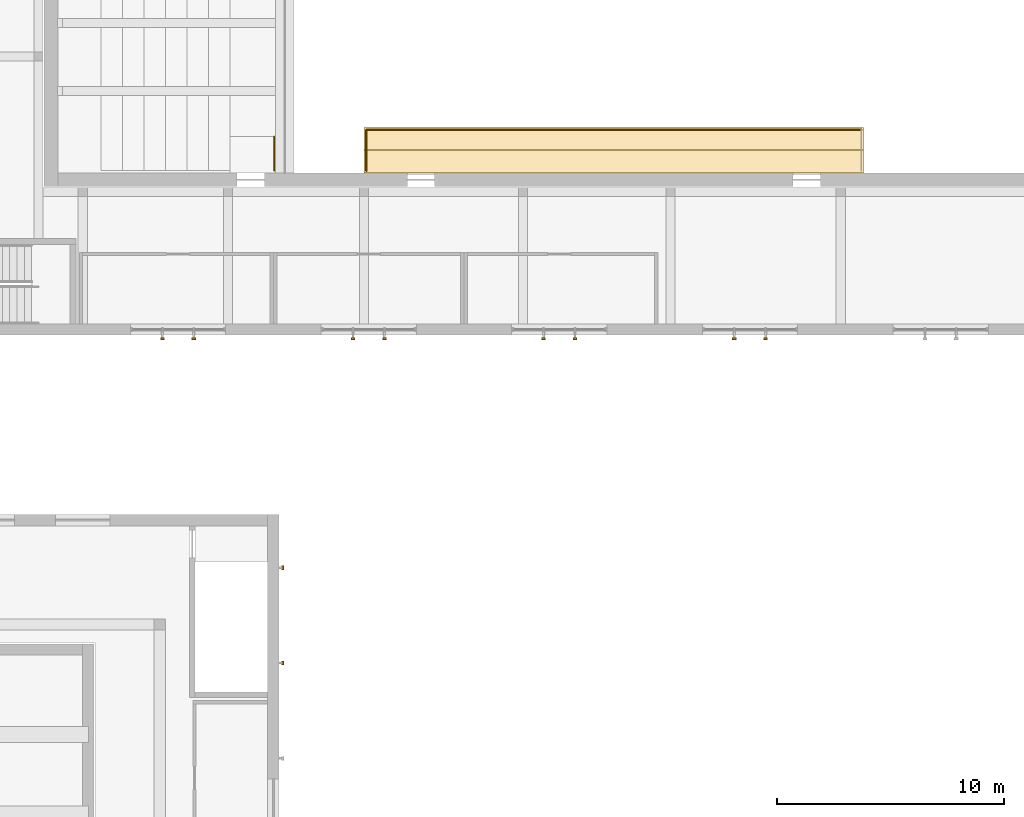
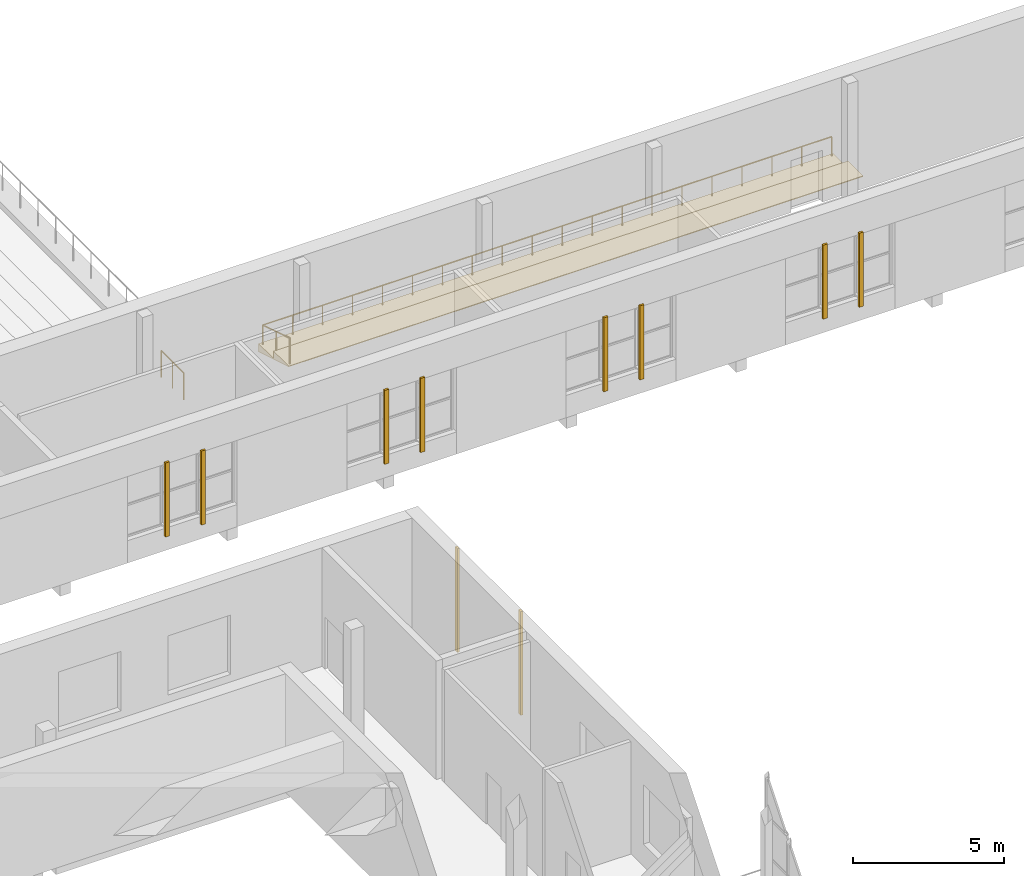
# One storey, part 104 of 116: 10 shading devices, 3 railings, 1 covering.
"""IFC4 building model written with IfcOpenShell, lengths in metres."""

from ifc_helpers import new_model, si_unit, direction, frame, origin, origin_2d, place, context, subcontext, project, spatial, polyline, rectangle, circle, outline, extrude, material, layer, layer_set, type_object, element, save


model = new_model("IFC4")

# Units and contexts
model_context = context("Model", 3, precision=1e-05, world=origin(), true_north=direction((0.0, 1.0)))
body_context = subcontext(model_context, "Body", "Model", "MODEL_VIEW")
ifc_project = project(units=[si_unit("LENGTHUNIT", "METRE"), si_unit("AREAUNIT", "SQUARE_METRE"), si_unit("VOLUMEUNIT", "CUBIC_METRE"), si_unit("PLANEANGLEUNIT", "RADIAN"), si_unit("MASSUNIT", "GRAM", prefix="KILO")], contexts=[model_context])

# Site, building, storey
site_placement = place(None, origin())
site = spatial("IfcSite", under=ifc_project, at=site_placement, CompositionType="ELEMENT")
building_placement = place(site_placement, origin())
building = spatial("IfcBuilding", under=site, at=building_placement, Name="Ljudholm Concert House", CompositionType="ELEMENT")
storey_placement = place(building_placement, frame((0.0, 0.0, 10.199951171875)))
storey = spatial("IfcBuildingStorey", under=building, at=storey_placement, Name="L02", CompositionType="ELEMENT", Elevation=10.199951171875)

# Shading devices
ifc_material_1 = material(Name="Aluminium extrusion with timber-grain PVDF finish", Category="aluminium")
shading_device_type = type_object("IfcShadingDeviceType", Name="FACADE FIN 80x160", PredefinedType="SHUTTER", material=ifc_material_1)
for number, where, z_axis, x_axis, name in (
    (1, (41.110107421875, 53.989990234375, 0.699951171875), (0.0, 0.0, 1.0), (0.0, -1.0, 0.0), "Facade fin"),
    (2, (42.489990234375, 53.989990234375, 0.699951171875), (0.0, 0.0, 1.0), (0.0, -1.0, 0.0), "Facade fin"),
    (3, (49.510009765625, 53.989990234375, 0.699951171875), (0.0, 0.0, 1.0), (0.0, -1.0, 0.0), "Facade fin"),
    (4, (50.889892578125, 53.989990234375, 0.699951171875), (0.0, 0.0, 1.0), (0.0, -1.0, 0.0), "Facade fin"),
    (5, (57.909912109375, 53.989990234375, 0.699951171875), (0.0, 0.0, 1.0), (0.0, -1.0, 0.0), "Facade fin"),
    (6, (59.2900390625, 53.989990234375, 0.699951171875), (0.0, 0.0, 1.0), (0.0, -1.0, 0.0), "Facade fin"),
    (7, (66.31005859375, 53.989990234375, 0.699951171875), (0.0, 0.0, 1.0), (0.0, -1.0, 0.0), "Facade fin"),
    (8, (67.68994140625, 53.989990234375, 0.699951171875), (0.0, 0.0, 1.0), (0.0, -1.0, 0.0), "Facade fin"),
):
    element("IfcShadingDevice", number, at=place(storey_placement, frame(where, z_axis=z_axis, x_axis=x_axis)), inside=storey, type_object=shading_device_type, Name=name, PredefinedType="SHUTTER", context=body_context, shape_type="SweptSolid", body=[
        extrude(rectangle(XDim=0.080078125, YDim=0.159912109375, at=origin_2d()), origin(), (0.0, 0.0, 1.0), 3.0),
    ])
for number, where, z_axis, x_axis, name in (
    (9, (46.409912109375, 39.699951171875, 0.30029296875), (0.0, 0.0, 1.0), (1.0, 0.0, 0.0), "Facade fin"),
    (10, (46.409912109375, 43.89990234375, 0.30029296875), (0.0, 0.0, 1.0), (1.0, 0.0, 0.0), "Facade fin"),
):
    element("IfcShadingDevice", number, at=place(storey_placement, frame(where, z_axis=z_axis, x_axis=x_axis)), inside=storey, type_object=shading_device_type, Name=name, PredefinedType="SHUTTER", context=body_context, shape_type="SweptSolid", body=[
        extrude(rectangle(XDim=0.080078125, YDim=0.159912109375, at=origin_2d()), origin(), (0.0, 0.0, 1.0), 4.199951171875),
    ])

# Railings
ifc_material_2 = material(Name="Steel ASTM A36", Category="steel")
railing_type = type_object("IfcRailingType", Name="GUARD 1100", PredefinedType="GUARDRAIL", material=ifc_material_2)
railing_1_placement = place(storey_placement, frame((46.0400390625, 61.39990234375, 0.0)))
element("IfcRailing", 11, at=railing_1_placement, inside=storey, type_object=railing_type, Name="Landing guard", PredefinedType="GUARDRAIL", context=body_context, shape_type="SweptSolid", body=[
    extrude(circle(Radius=0.02490234375, at=origin_2d()), frame((0.0, 0.0, 1.0751953125), z_axis=(0.0, 1.0, 0.0), x_axis=(-1.0, 0.0, 0.0)), (0.0, 0.0, 1.0), 1.5),
    extrude(circle(Radius=0.02099609375, at=origin_2d()), origin(), (0.0, 0.0, 1.0), 1.050048828125),
    extrude(circle(Radius=0.02099609375, at=origin_2d()), frame((0.0, 0.75, 0.0)), (0.0, 0.0, 1.0), 1.050048828125),
    extrude(circle(Radius=0.02099609375, at=origin_2d()), frame((0.0, 1.5, 0.0)), (0.0, 0.0, 1.0), 1.050048828125),
])
railing_2_placement = place(storey_placement, frame((50.10009765625, 63.199951171875, -0.570068359375)))
element("IfcRailing", 12, at=railing_2_placement, inside=storey, type_object=railing_type, Name="Gallery guard", PredefinedType="GUARDRAIL", context=body_context, shape_type="SweptSolid", body=[
    extrude(circle(Radius=0.02490234375, at=origin_2d()), frame((0.0, 0.0, 1.0751953125), z_axis=(1.0, 0.0, 0.0), x_axis=(0.0, 1.0, 0.0)), (0.0, 0.0, 1.0), 21.7998046875),
    extrude(circle(Radius=0.02099609375, at=origin_2d()), origin(), (0.0, 0.0, 1.0), 1.050048828125),
    extrude(circle(Radius=0.02099609375, at=origin_2d()), frame((1.1474609375, 0.0, 0.0)), (0.0, 0.0, 1.0), 1.050048828125),
    extrude(circle(Radius=0.02099609375, at=origin_2d()), frame((2.294677734375, 0.0, 0.0)), (0.0, 0.0, 1.0), 1.050048828125),
    extrude(circle(Radius=0.02099609375, at=origin_2d()), frame((3.442138671875, 0.0, 0.0)), (0.0, 0.0, 1.0), 1.050048828125),
    extrude(circle(Radius=0.02099609375, at=origin_2d()), frame((4.58935546875, 0.0, 0.0)), (0.0, 0.0, 1.0), 1.050048828125),
    extrude(circle(Radius=0.02099609375, at=origin_2d()), frame((5.73681640625, 0.0, 0.0)), (0.0, 0.0, 1.0), 1.050048828125),
    extrude(circle(Radius=0.02099609375, at=origin_2d()), frame((6.884033203125, 0.0, 0.0)), (0.0, 0.0, 1.0), 1.050048828125),
    extrude(circle(Radius=0.02099609375, at=origin_2d()), frame((8.031494140625, 0.0, 0.0)), (0.0, 0.0, 1.0), 1.050048828125),
    extrude(circle(Radius=0.02099609375, at=origin_2d()), frame((9.178955078125, 0.0, 0.0)), (0.0, 0.0, 1.0), 1.050048828125),
    extrude(circle(Radius=0.02099609375, at=origin_2d()), frame((10.326171875, 0.0, 0.0)), (0.0, 0.0, 1.0), 1.050048828125),
    extrude(circle(Radius=0.02099609375, at=origin_2d()), frame((11.4736328125, 0.0, 0.0)), (0.0, 0.0, 1.0), 1.050048828125),
    extrude(circle(Radius=0.02099609375, at=origin_2d()), frame((12.620849609375, 0.0, 0.0)), (0.0, 0.0, 1.0), 1.050048828125),
    extrude(circle(Radius=0.02099609375, at=origin_2d()), frame((13.768310546875, 0.0, 0.0)), (0.0, 0.0, 1.0), 1.050048828125),
    extrude(circle(Radius=0.02099609375, at=origin_2d()), frame((14.915771484375, 0.0, 0.0)), (0.0, 0.0, 1.0), 1.050048828125),
    extrude(circle(Radius=0.02099609375, at=origin_2d()), frame((16.06298828125, 0.0, 0.0)), (0.0, 0.0, 1.0), 1.050048828125),
    extrude(circle(Radius=0.02099609375, at=origin_2d()), frame((17.21044921875, 0.0, 0.0)), (0.0, 0.0, 1.0), 1.050048828125),
    extrude(circle(Radius=0.02099609375, at=origin_2d()), frame((18.357666015625, 0.0, 0.0)), (0.0, 0.0, 1.0), 1.050048828125),
    extrude(circle(Radius=0.02099609375, at=origin_2d()), frame((19.505126953125, 0.0, 0.0)), (0.0, 0.0, 1.0), 1.050048828125),
    extrude(circle(Radius=0.02099609375, at=origin_2d()), frame((20.65234375, 0.0, 0.0)), (0.0, 0.0, 1.0), 1.050048828125),
    extrude(circle(Radius=0.02099609375, at=origin_2d()), frame((21.7998046875, 0.0, 0.0)), (0.0, 0.0, 1.0), 1.050048828125),
])
railing_3_placement = place(storey_placement, frame((50.10009765625, 61.39990234375, 0.0)))
element("IfcRailing", 13, at=railing_3_placement, inside=storey, type_object=railing_type, Name="Gallery end guard", PredefinedType="GUARDRAIL", context=body_context, shape_type="SweptSolid", body=[
    extrude(circle(Radius=0.02490234375, at=origin_2d()), frame((0.0, 0.0, 1.0751953125), z_axis=(0.0, 0.953334162078, -0.301917166479), x_axis=(-1.0, 0.0, 0.0)), (0.0, 0.0, 1.0), 1.88818359375),
    extrude(circle(Radius=0.02099609375, at=origin_2d()), origin(), (0.0, 0.0, 1.0), 1.050048828125),
    extrude(circle(Radius=0.02099609375, at=origin_2d()), frame((0.0, 0.89990234375, -0.28515625)), (0.0, 0.0, 1.0), 1.050048828125),
    extrude(circle(Radius=0.02099609375, at=origin_2d()), frame((0.0, 1.800048828125, -0.570068359375)), (0.0, 0.0, 1.0), 1.050048828125),
])

# Covering
ifc_material_3 = material(Name="Timber seating tread", Category="wood")
ifc_layer = layer(ifc_material_3, 0.030029296875)
ifc_layer_set = layer_set([ifc_layer], Name="Timber seating tread")
covering_type = type_object("IfcCoveringType", Name="TIMBER SEATING TREAD FLOOR FINISH 30", PredefinedType="FLOORING", material=ifc_layer_set)
covering_placement = place(storey_placement, frame((61.0, 63.300048828125, -10.199951171875), z_axis=(0.0, 0.0, 1.0), x_axis=(0.0, -1.0, 0.0)))
element("IfcCovering", 14, at=covering_placement, inside=storey, type_object=covering_type, Name="Upper gallery South seating steps", PredefinedType="FLOORING", context=body_context, shape_type="SweptSolid", body=[
    extrude(outline(polyline([(0.0, 9.60009765625), (2.0, 10.199951171875), (2.0, 10.22998046875), (1.0, 10.22998046875), (1.0, 9.929931640625), (0.0, 9.929931640625), (0.0, 9.60009765625)])), frame((0.0, 11.0, 0.0), z_axis=(0.0, -1.0, 0.0), x_axis=(1.0, 0.0, 0.0)), (0.0, 0.0, 1.0), 22.0),
])

save(model, "model.ifc")
